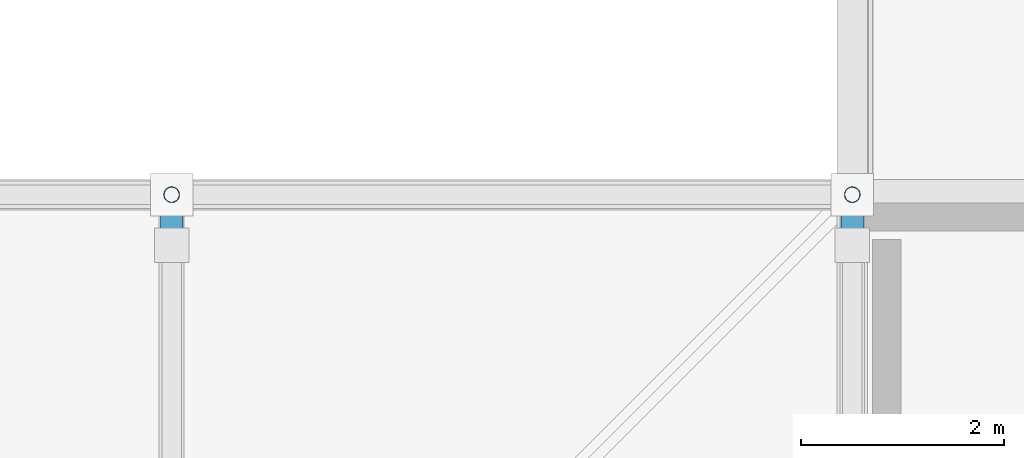
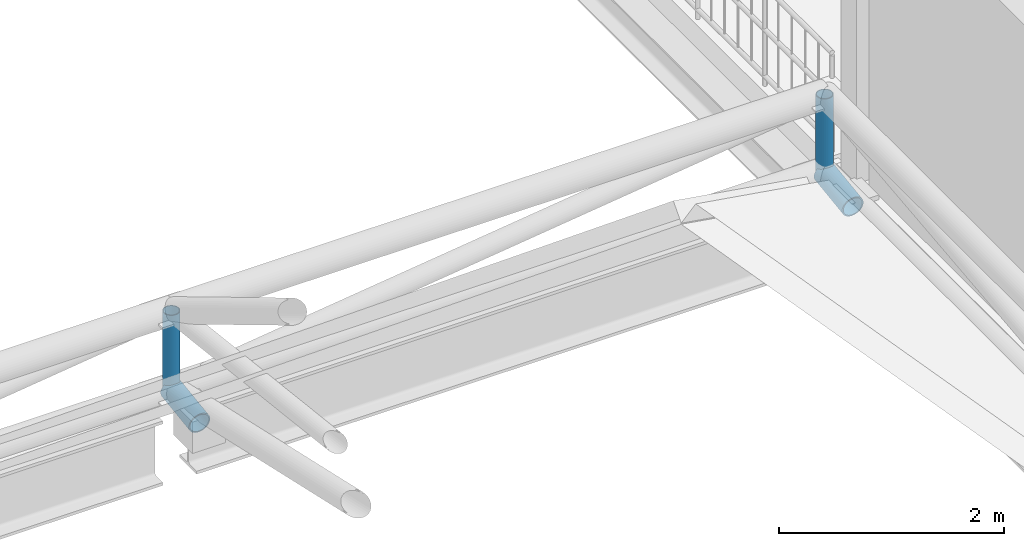
# One storey, part 51 of 77: 4 members.
"""IFC4 building model written with IfcOpenShell, lengths in metres."""

from ifc_helpers import new_model, si_unit, direction, frame, origin, origin_2d, place, context, subcontext, project, spatial, hollow_circle, extrude, material, material_profile, profile_set, type_object, element, save


model = new_model("IFC4")

# Units and contexts
model_context = context("Model", 3, precision=1e-05, world=origin(), true_north=direction((0.0, 1.0)))
body_context = subcontext(model_context, "Body", "Model", "MODEL_VIEW")
ifc_project = project(units=[si_unit("LENGTHUNIT", "METRE"), si_unit("AREAUNIT", "SQUARE_METRE"), si_unit("VOLUMEUNIT", "CUBIC_METRE"), si_unit("PLANEANGLEUNIT", "RADIAN"), si_unit("MASSUNIT", "GRAM", prefix="KILO")], contexts=[model_context])

# Site, building, storey
site_placement = place(None, origin())
site = spatial("IfcSite", under=ifc_project, at=site_placement, CompositionType="ELEMENT")
building_placement = place(site_placement, origin())
building = spatial("IfcBuilding", under=site, at=building_placement, Name="Nabrawat Pavilion Hospital", CompositionType="ELEMENT")
storey_placement = place(building_placement, frame((0.0, 0.0, 14.85009765625)))
storey = spatial("IfcBuildingStorey", under=building, at=storey_placement, Name="L03", CompositionType="ELEMENT", Elevation=14.85009765625)

# Members
ifc_material = material(Name="Steel S355", Category="steel")
ifc_material_profile_1 = material_profile(ifc_material, hollow_circle(Radius=0.109619140625, WallThickness=0.012451171875, at=origin_2d()), Name="CHS 219.1x12.5")
ifc_profile_set_1 = profile_set([ifc_material_profile_1], Name="Steel S355")
member_type_1 = type_object("IfcMemberType", Name="Space Frame Overhanging Eave Strut CHS 219.1x12.5", PredefinedType="STRUT", material=ifc_profile_set_1)
for number, where, z_axis, x_axis, name in (
    (1, (119.2919921875, 39.0, -0.050048828125), (0.0, -0.990323146751, -0.138780636288), (1.0, 0.0, 0.0), "Space Frame Overhanging Eave Strut North 0283"),
    (2, (126.0, 39.0, -0.050048828125), (0.0, -0.990323146751, -0.138780636288), (1.0, 0.0, 0.0), "Space Frame Overhanging Eave Strut North 0285"),
):
    element("IfcMember", number, at=place(storey_placement, frame(where, z_axis=z_axis, x_axis=x_axis)), inside=storey, type_object=member_type_1, Name=name, PredefinedType="STRUT", context=body_context, shape_type="SweptSolid", body=[
        extrude(hollow_circle(Radius=0.109619140625, WallThickness=0.012451171875, at=origin_2d()), origin(), (0.0, 0.0, 1.0), 0.5048828125),
    ])
ifc_material_profile_2 = material_profile(ifc_material, hollow_circle(Radius=0.07958984375, WallThickness=0.008056640625, at=origin_2d()), Name="CHS 159x8")
ifc_profile_set_2 = profile_set([ifc_material_profile_2], Name="Steel S355")
member_type_2 = type_object("IfcMemberType", Name="Space Frame Vertical Web Post CHS 159x8", PredefinedType="BRACE", material=ifc_profile_set_2)
for number, where, z_axis, x_axis, name in (
    (3, (119.2919921875, 39.0, -0.050048828125), (0.0, 0.0, 1.0), (1.0, 0.0, 0.0), "Space Frame Diagonal Post 0249"),
    (4, (126.0, 39.0, -0.050048828125), (0.0, 0.0, 1.0), (1.0, 0.0, 0.0), "Space Frame Diagonal Post 0263"),
):
    element("IfcMember", number, at=place(storey_placement, frame(where, z_axis=z_axis, x_axis=x_axis)), inside=storey, type_object=member_type_2, Name=name, PredefinedType="BRACE", context=body_context, shape_type="SweptSolid", body=[
        extrude(hollow_circle(Radius=0.07958984375, WallThickness=0.008056640625, at=origin_2d()), origin(), (0.0, 0.0, 1.0), 0.849853515625),
    ])

save(model, "model.ifc")
